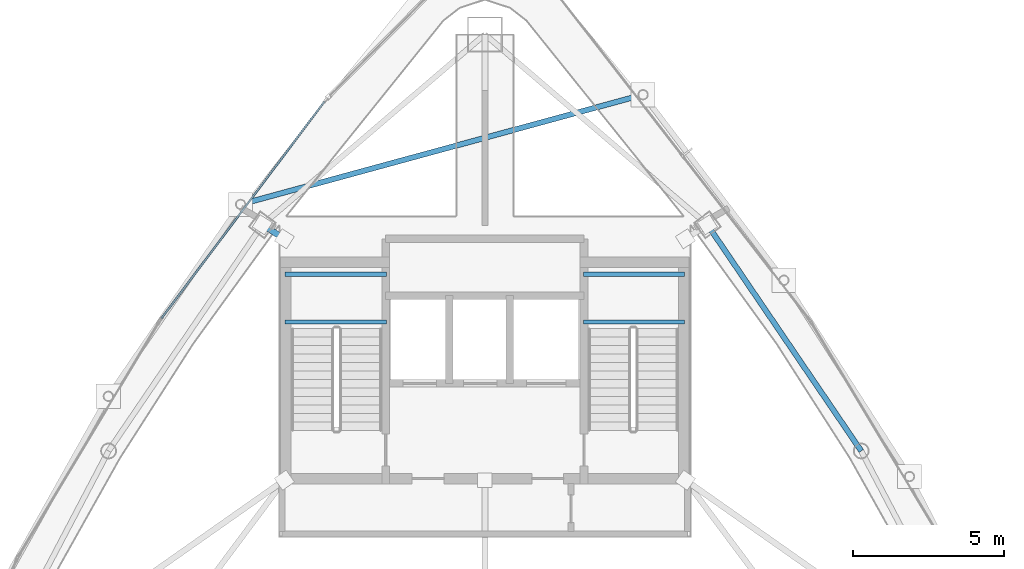
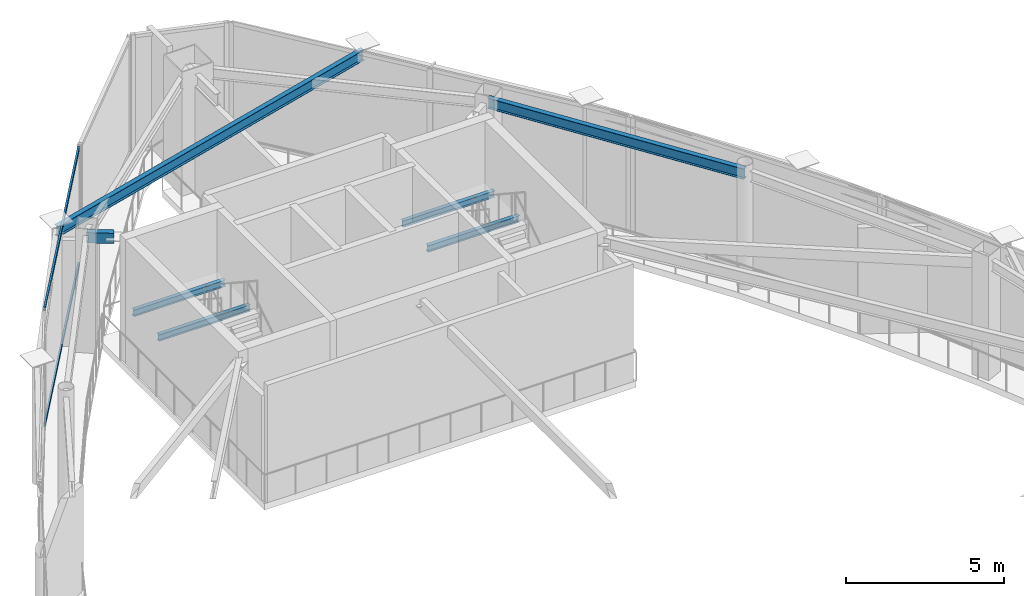
# One storey, part 9 of 20: 6 beams, 3 members, 1 element without a shape of its own.
"""IFC4 building model written with IfcOpenShell, lengths in metres."""

from ifc_helpers import new_model, si_unit, direction, frame, origin, origin_2d, place, context, subcontext, project, spatial, hollow_rectangle, i_section, extrude, material, layer, layer_set, material_profile, profile_set, type_object, element, aggregate, save


model = new_model("IFC4")

# Units and contexts
model_context = context("Model", 3, precision=1e-05, world=origin(), true_north=direction((0.0, 1.0)))
body_context = subcontext(model_context, "Body", "Model", "MODEL_VIEW")
ifc_project = project(units=[si_unit("LENGTHUNIT", "METRE"), si_unit("AREAUNIT", "SQUARE_METRE"), si_unit("VOLUMEUNIT", "CUBIC_METRE"), si_unit("PLANEANGLEUNIT", "RADIAN"), si_unit("MASSUNIT", "GRAM", prefix="KILO")], contexts=[model_context])

# Site, building, storey
site_placement = place(None, origin())
site = spatial("IfcSite", under=ifc_project, at=site_placement, CompositionType="ELEMENT")
building_placement = place(site_placement, origin())
building = spatial("IfcBuilding", under=site, at=building_placement, Name="Orvanel Arch Residences", CompositionType="ELEMENT")
storey_placement = place(building_placement, frame((0.0, 0.0, 300.5)))
storey = spatial("IfcBuildingStorey", under=building, at=storey_placement, Name="L84", CompositionType="ELEMENT", Elevation=300.5)

# Beams
ifc_material_1 = material(Name="Structural steel AS/NZS 3679.1 Grade 300 (300 MPa)", Category="steel")
ifc_material_profile_1 = material_profile(ifc_material_1, i_section(OverallWidth=0.14599609375, OverallDepth=0.251953125, WebThickness=0.006103515625, FlangeThickness=0.008544921875, at=origin_2d()), Name="250UB31.4")
ifc_profile_set_1 = profile_set([ifc_material_profile_1], Name="Structural steel AS/NZS 3679.1 Grade 300 (300 MPa)")
beam_type_1 = type_object("IfcBeamType", Name="BJ-250UB", PredefinedType="JOIST", material=ifc_profile_set_1)
for number, where, z_axis, x_axis, name in (
    (1, (26.39990234375, 31.89990234375, 2.073974609375), (1.0, 0.0, 0.0), (0.0, 1.0, 0.0), "L84 ST-1 Half-Landing Support Beam 1.1"),
    (2, (26.39990234375, 33.47998046875, 2.073974609375), (1.0, 0.0, 0.0), (0.0, 1.0, 0.0), "L84 ST-1 Half-Landing Support Beam 1.2"),
    (3, (36.25, 31.89990234375, 2.073974609375), (1.0, 0.0, 0.0), (0.0, 1.0, 0.0), "L84 ST-2 Half-Landing Support Beam 1.1"),
    (4, (36.25, 33.47998046875, 2.073974609375), (1.0, 0.0, 0.0), (0.0, 1.0, 0.0), "L84 ST-2 Half-Landing Support Beam 1.2"),
):
    element("IfcBeam", number, at=place(storey_placement, frame(where, z_axis=z_axis, x_axis=x_axis)), inside=storey, type_object=beam_type_1, Name=name, PredefinedType="JOIST", context=body_context, shape_type="SweptSolid", body=[
        extrude(i_section(OverallWidth=0.14599609375, OverallDepth=0.251953125, WebThickness=0.006103515625, FlangeThickness=0.008544921875, at=origin_2d()), origin(), (0.0, 0.0, 1.0), 3.35009765625),
    ])
ifc_material_profile_2 = material_profile(ifc_material_1, i_section(OverallWidth=0.177978515625, OverallDepth=0.406005859375, WebThickness=0.0078125, FlangeThickness=0.0126953125, at=origin_2d()), Name="410UB59.7")
ifc_profile_set_2 = profile_set([ifc_material_profile_2], Name="Structural steel AS/NZS 3679.1 Grade 300 (300 MPa)")
beam_type_2 = type_object("IfcBeamType", Name="OB-410UB", PredefinedType="SPANDREL", material=ifc_profile_set_2)
beam_1_placement = place(storey_placement, frame((45.430908203125, 27.64111328125, 4.346923828125), z_axis=(-0.562154793153, 0.827032035978, 0.0), x_axis=(-0.827032035978, -0.562154793153, 0.0)))
element("IfcBeam", 5, at=beam_1_placement, inside=storey, type_object=beam_type_2, Name="L84 Perimeter Spandrel Beam 08", PredefinedType="SPANDREL", context=body_context, shape_type="SweptSolid", body=[
    extrude(i_section(OverallWidth=0.177978515625, OverallDepth=0.406005859375, WebThickness=0.0078125, FlangeThickness=0.0126953125, at=origin_2d()), origin(), (0.0, 0.0, 1.0), 9.03466796875),
])
ifc_material_profile_3 = material_profile(ifc_material_1, i_section(OverallWidth=0.177978515625, OverallDepth=0.406005859375, WebThickness=0.0078125, FlangeThickness=0.0126953125, at=origin_2d()), Name="410UB59.7")
ifc_profile_set_3 = profile_set([ifc_material_profile_3], Name="Structural steel AS/NZS 3679.1 Grade 300 (300 MPa)")
beam_type_3 = type_object("IfcBeamType", Name="OB-410UB-EXT", PredefinedType="SPANDREL", material=ifc_profile_set_3)
beam_2_placement = place(storey_placement, frame((38.22412109375, 39.409912109375, 4.346923828125), z_axis=(-0.964794480335, -0.263004963291, 0.0), x_axis=(0.263004963291, -0.964794480335, 0.0)))
element("IfcBeam", 6, at=beam_2_placement, inside=storey, type_object=beam_type_3, Name="L84 Outer Perimeter Floor Ring Beam 12", PredefinedType="SPANDREL", context=body_context, shape_type="SweptSolid", body=[
    extrude(i_section(OverallWidth=0.177978515625, OverallDepth=0.406005859375, WebThickness=0.0078125, FlangeThickness=0.0126953125, at=origin_2d()), origin(), (0.0, 0.0, 1.0), 13.779296875),
])

# Member
ifc_material_2 = material(Name="Structural steel AS/NZS 1163 C350L0 (Grade 350)", Category="steel")
ifc_material_profile_4 = material_profile(ifc_material_2, hollow_rectangle(XDim=0.199951171875, YDim=0.39990234375, WallThickness=0.012451171875, at=origin_2d()), Name="RHS400x200x12.5")
ifc_profile_set_4 = profile_set([ifc_material_profile_4], Name="Structural steel AS/NZS 1163 C350L0 (Grade 350)")
member_type_1 = type_object("IfcMemberType", Name="RF-400RHS", PredefinedType="RAFTER", material=ifc_profile_set_4)
member_1_placement = place(storey_placement, frame((26.375, 34.64990234375, 4.300048828125), z_axis=(-0.843416501634, 0.537260276562, 0.0), x_axis=(-0.537260276562, -0.843416501634, 0.0)))
element("IfcMember", 7, at=member_1_placement, inside=storey, type_object=member_type_1, Name="L84 Winter-Garden Conservatory Gallery Rafter 03", PredefinedType="RAFTER", context=body_context, shape_type="SweptSolid", body=[
    extrude(hollow_rectangle(XDim=0.199951171875, YDim=0.39990234375, WallThickness=0.012451171875, at=origin_2d()), origin(), (0.0, 0.0, 1.0), 0.862060546875),
])

# Curtain wall, members
ifc_material_3 = material(Name="Bronze-anodised aluminium AA6063-T6", Category="aluminium")
ifc_layer = layer(ifc_material_3, 0.2099609375)
ifc_layer_set = layer_set([ifc_layer], Name="Bronze-anodised aluminium AA6063-T6")
curtain_wall_type = type_object("IfcCurtainWallType", Name="CW7-TOP-SYS", PredefinedType="NOTDEFINED", material=ifc_layer_set)
curtain_wall_placement = place(storey_placement, origin())
curtain_wall = element("IfcCurtainWall", 8, at=curtain_wall_placement, inside=storey, type_object=curtain_wall_type, Name="L84 CW7-TOP-SYS Unitised Curtain Wall", PredefinedType="NOTDEFINED")
ifc_material_profile_5 = material_profile(ifc_material_3, hollow_rectangle(XDim=0.06494140625, YDim=0.14990234375, WallThickness=0.00390625, at=origin_2d()), Name="ALU150x65x4")
ifc_profile_set_5 = profile_set([ifc_material_profile_5], Name="Bronze-anodised aluminium AA6063-T6")
member_type_2 = type_object("IfcMemberType", Name="TRN-150x65", PredefinedType="USERDEFINED", material=ifc_profile_set_5)
member_2_placement = place(storey_placement, frame((27.7060546875, 39.192138671875, 0.032470703125), z_axis=(-0.600891851957, -0.799330333624, 0.0), x_axis=(0.799330333624, -0.600891851957, 0.0)))
member_2 = element("IfcMember", 9, at=member_2_placement, type_object=member_type_2, Name="CW-S7 transom 1.1", ObjectType="TRANSOM", PredefinedType="USERDEFINED", context=body_context, shape_type="SweptSolid", body=[
    extrude(hollow_rectangle(XDim=0.06494140625, YDim=0.14990234375, WallThickness=0.00390625, at=origin_2d()), origin(), (0.0, 0.0, 1.0), 8.97509765625),
])
member_3_placement = place(storey_placement, frame((27.7060546875, 39.192138671875, 4.517578125), z_axis=(-0.600891851957, -0.799330333624, 0.0), x_axis=(0.799330333624, -0.600891851957, 0.0)))
member_3 = element("IfcMember", 10, at=member_3_placement, type_object=member_type_2, Name="CW-S7 transom 1.2", ObjectType="TRANSOM", PredefinedType="USERDEFINED", context=body_context, shape_type="SweptSolid", body=[
    extrude(hollow_rectangle(XDim=0.06494140625, YDim=0.14990234375, WallThickness=0.00390625, at=origin_2d()), origin(), (0.0, 0.0, 1.0), 8.97509765625),
])
aggregate(curtain_wall, [member_2, member_3])

save(model, "model.ifc")
